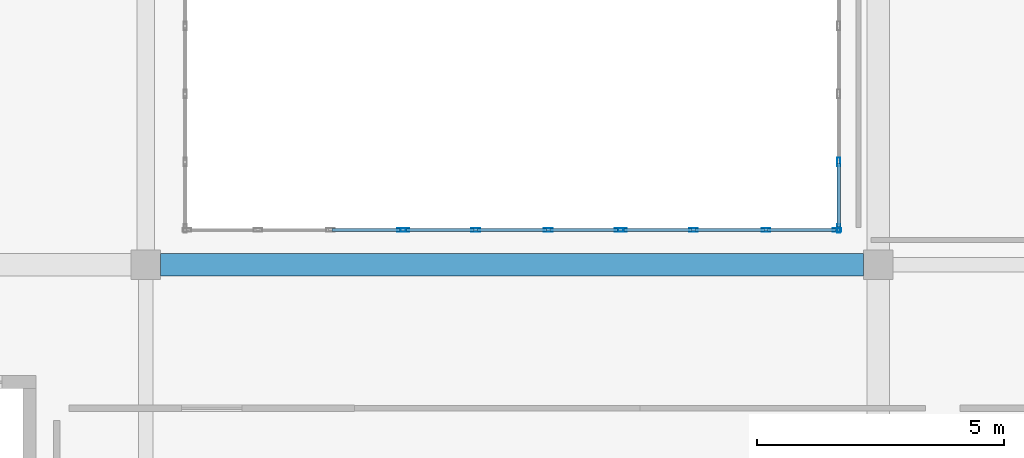
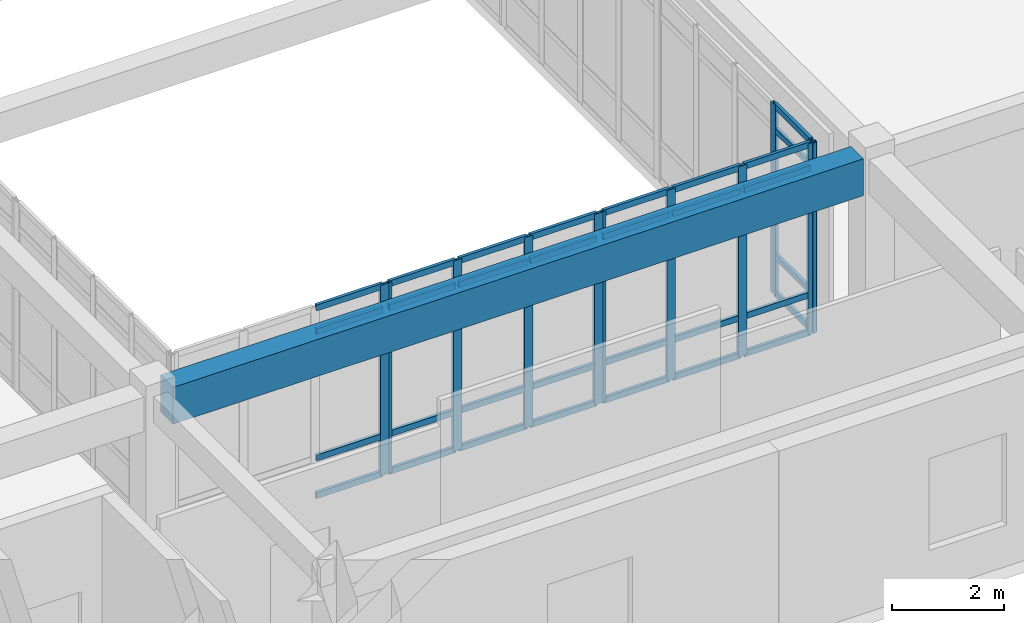
# One storey, part 73 of 142: 43 members, 1 beam, 4 elements without a shape of their own.
"""IFC4 building model written with IfcOpenShell, lengths in metres."""

from ifc_helpers import new_model, si_unit, direction, frame, origin, origin_2d, place, context, subcontext, project, spatial, rectangle, hollow_rectangle, extrude, material, layer, layer_set, material_profile, profile_set, type_object, element, aggregate, save


model = new_model("IFC4")

# Units and contexts
model_context = context("Model", 3, precision=1e-05, world=origin(), true_north=direction((0.0, 1.0)))
body_context = subcontext(model_context, "Body", "Model", "MODEL_VIEW")
ifc_project = project(units=[si_unit("LENGTHUNIT", "METRE"), si_unit("AREAUNIT", "SQUARE_METRE"), si_unit("VOLUMEUNIT", "CUBIC_METRE"), si_unit("PLANEANGLEUNIT", "RADIAN"), si_unit("MASSUNIT", "GRAM", prefix="KILO")], contexts=[model_context])

# Site, building, storey
site_placement = place(None, origin())
site = spatial("IfcSite", under=ifc_project, at=site_placement, CompositionType="ELEMENT")
building_placement = place(site_placement, origin())
building = spatial("IfcBuilding", under=site, at=building_placement, Name="Valcora Specialist Clinic", CompositionType="ELEMENT")
storey_placement = place(building_placement, frame((0.0, 0.0, 5.10009765625)))
storey = spatial("IfcBuildingStorey", under=building, at=storey_placement, Name="L01", CompositionType="ELEMENT", Elevation=5.10009765625)

# Beam
ifc_material_1 = material(Name="Concrete C40/50", Category="concrete")
ifc_material_profile_1 = material_profile(ifc_material_1, rectangle(XDim=0.449951171875, YDim=0.800048828125, at=origin_2d()), Name="RC-BM-450X800")
ifc_profile_set_1 = profile_set([ifc_material_profile_1], Name="Concrete C40/50")
beam_type = type_object("IfcBeamType", Name="TY-BM-RC450X800", PredefinedType="BEAM", material=ifc_profile_set_1)
beam_placement = place(storey_placement, frame((76.300048828125, 81.300048828125, 3.744873046875), z_axis=(1.0, 0.0, 0.0), x_axis=(0.0, 1.0, 0.0)))
element("IfcBeam", 1, at=beam_placement, inside=storey, type_object=beam_type, Name="Beam BM-L01-0624", PredefinedType="BEAM", context=body_context, shape_type="SweptSolid", body=[
    extrude(rectangle(XDim=0.449951171875, YDim=0.800048828125, at=origin_2d()), origin(), (0.0, 0.0, 1.0), 14.199951171875),
])

# Curtain wall, member
ifc_material_2 = material(Name="Anodized Bronze Aluminium 6063-T6", Category="aluminium")
ifc_layer = layer(ifc_material_2, 0.175048828125)
ifc_layer_set = layer_set([ifc_layer], Name="Anodized Bronze Aluminium 6063-T6")
curtain_wall_type = type_object("IfcCurtainWallType", Name="TY-CW-CRT15", PredefinedType="NOTDEFINED", material=ifc_layer_set)
curtain_wall_1_placement = place(storey_placement, origin())
curtain_wall_1 = element("IfcCurtainWall", 2, at=curtain_wall_1_placement, inside=storey, type_object=curtain_wall_type, Name="Curtain wall CW-L01-061", PredefinedType="NOTDEFINED")
ifc_material_profile_2 = material_profile(ifc_material_2, hollow_rectangle(XDim=0.06494140625, YDim=0.175048828125, WallThickness=0.00390625, at=origin_2d()), Name="AL-MUL-65X175")
ifc_profile_set_2 = profile_set([ifc_material_profile_2], Name="Anodized Bronze Aluminium 6063-T6")
member_type_1 = type_object("IfcMemberType", Name="TY-CWM-65X175", PredefinedType="MULLION", material=ifc_profile_set_2)
member_1_placement = place(storey_placement, frame((81.16748046875, 82.0, 0.0), z_axis=(0.0, 0.0, 1.0), x_axis=(0.0, 1.0, 0.0)))
member_1 = element("IfcMember", 3, at=member_1_placement, type_object=member_type_1, Name="CW-CRT-15 mullion 4", PredefinedType="MULLION", context=body_context, shape_type="SweptSolid", body=[
    extrude(hollow_rectangle(XDim=0.06494140625, YDim=0.175048828125, WallThickness=0.00390625, at=origin_2d()), origin(), (0.0, 0.0, 1.0), 4.14501953125),
])

# Curtain wall, members
curtain_wall_2_placement = place(storey_placement, origin())
curtain_wall_2 = element("IfcCurtainWall", 4, at=curtain_wall_2_placement, inside=storey, type_object=curtain_wall_type, Name="Curtain wall CW-L01-062", PredefinedType="NOTDEFINED")
member_2_placement = place(storey_placement, frame((81.232421875, 82.0, 0.0), z_axis=(0.0, 0.0, 1.0), x_axis=(0.0, 1.0, 0.0)))
member_2 = element("IfcMember", 5, at=member_2_placement, type_object=member_type_1, Name="CW-CRT-15 mullion 1", PredefinedType="MULLION", context=body_context, shape_type="SweptSolid", body=[
    extrude(hollow_rectangle(XDim=0.06494140625, YDim=0.175048828125, WallThickness=0.00390625, at=origin_2d()), origin(), (0.0, 0.0, 1.0), 4.14501953125),
])
member_3_placement = place(storey_placement, frame((82.666748046875, 82.0, 0.0), z_axis=(0.0, 0.0, 1.0), x_axis=(0.0, 1.0, 0.0)))
member_3 = element("IfcMember", 6, at=member_3_placement, type_object=member_type_1, Name="CW-CRT-15 mullion 2", PredefinedType="MULLION", context=body_context, shape_type="SweptSolid", body=[
    extrude(hollow_rectangle(XDim=0.06494140625, YDim=0.175048828125, WallThickness=0.00390625, at=origin_2d()), origin(), (0.0, 0.0, 1.0), 4.14501953125),
])
member_4_placement = place(storey_placement, frame((84.13330078125, 82.0, 0.0), z_axis=(0.0, 0.0, 1.0), x_axis=(0.0, 1.0, 0.0)))
member_4 = element("IfcMember", 7, at=member_4_placement, type_object=member_type_1, Name="CW-CRT-15 mullion 3", PredefinedType="MULLION", context=body_context, shape_type="SweptSolid", body=[
    extrude(hollow_rectangle(XDim=0.06494140625, YDim=0.175048828125, WallThickness=0.00390625, at=origin_2d()), origin(), (0.0, 0.0, 1.0), 4.14501953125),
])
member_5_placement = place(storey_placement, frame((85.5673828125, 82.0, 0.0), z_axis=(0.0, 0.0, 1.0), x_axis=(0.0, 1.0, 0.0)))
member_5 = element("IfcMember", 8, at=member_5_placement, type_object=member_type_1, Name="CW-CRT-15 mullion 4", PredefinedType="MULLION", context=body_context, shape_type="SweptSolid", body=[
    extrude(hollow_rectangle(XDim=0.06494140625, YDim=0.175048828125, WallThickness=0.00390625, at=origin_2d()), origin(), (0.0, 0.0, 1.0), 4.14501953125),
])

curtain_wall_3_placement = place(storey_placement, origin())
curtain_wall_3 = element("IfcCurtainWall", 9, at=curtain_wall_3_placement, inside=storey, type_object=curtain_wall_type, Name="Curtain wall CW-L01-063", PredefinedType="NOTDEFINED")
member_6_placement = place(storey_placement, frame((85.632568359375, 82.0, 0.0), z_axis=(0.0, 0.0, 1.0), x_axis=(0.0, 1.0, 0.0)))
member_6 = element("IfcMember", 10, at=member_6_placement, type_object=member_type_1, Name="CW-CRT-15 mullion 1", PredefinedType="MULLION", context=body_context, shape_type="SweptSolid", body=[
    extrude(hollow_rectangle(XDim=0.06494140625, YDim=0.175048828125, WallThickness=0.00390625, at=origin_2d()), origin(), (0.0, 0.0, 1.0), 4.14501953125),
])
member_7_placement = place(storey_placement, frame((87.066650390625, 82.0, 0.0), z_axis=(0.0, 0.0, 1.0), x_axis=(0.0, 1.0, 0.0)))
member_7 = element("IfcMember", 11, at=member_7_placement, type_object=member_type_1, Name="CW-CRT-15 mullion 2", PredefinedType="MULLION", context=body_context, shape_type="SweptSolid", body=[
    extrude(hollow_rectangle(XDim=0.06494140625, YDim=0.175048828125, WallThickness=0.00390625, at=origin_2d()), origin(), (0.0, 0.0, 1.0), 4.14501953125),
])
member_8_placement = place(storey_placement, frame((88.533447265625, 82.0, 0.0), z_axis=(0.0, 0.0, 1.0), x_axis=(0.0, 1.0, 0.0)))
member_8 = element("IfcMember", 12, at=member_8_placement, type_object=member_type_1, Name="CW-CRT-15 mullion 3", PredefinedType="MULLION", context=body_context, shape_type="SweptSolid", body=[
    extrude(hollow_rectangle(XDim=0.06494140625, YDim=0.175048828125, WallThickness=0.00390625, at=origin_2d()), origin(), (0.0, 0.0, 1.0), 4.14501953125),
])
member_9_placement = place(storey_placement, frame((89.967529296875, 82.0, 0.0), z_axis=(0.0, 0.0, 1.0), x_axis=(0.0, 1.0, 0.0)))
member_9 = element("IfcMember", 13, at=member_9_placement, type_object=member_type_1, Name="CW-CRT-15 mullion 4", PredefinedType="MULLION", context=body_context, shape_type="SweptSolid", body=[
    extrude(hollow_rectangle(XDim=0.06494140625, YDim=0.175048828125, WallThickness=0.00390625, at=origin_2d()), origin(), (0.0, 0.0, 1.0), 4.14501953125),
])

curtain_wall_4_placement = place(storey_placement, origin())
curtain_wall_4 = element("IfcCurtainWall", 14, at=curtain_wall_4_placement, inside=storey, type_object=curtain_wall_type, Name="Curtain wall CW-L01-064", PredefinedType="NOTDEFINED")
member_10_placement = place(storey_placement, frame((90.0, 82.032470703125, 0.0), z_axis=(0.0, 0.0, 1.0), x_axis=(-1.0, 0.0, 0.0)))
member_10 = element("IfcMember", 15, at=member_10_placement, type_object=member_type_1, Name="CW-CRT-15 mullion 1", PredefinedType="MULLION", context=body_context, shape_type="SweptSolid", body=[
    extrude(hollow_rectangle(XDim=0.06494140625, YDim=0.175048828125, WallThickness=0.00390625, at=origin_2d()), origin(), (0.0, 0.0, 1.0), 4.14501953125),
])
member_11_placement = place(storey_placement, frame((90.0, 83.375, 0.0), z_axis=(0.0, 0.0, 1.0), x_axis=(-1.0, 0.0, 0.0)))
member_11 = element("IfcMember", 16, at=member_11_placement, type_object=member_type_1, Name="CW-CRT-15 mullion 2", PredefinedType="MULLION", context=body_context, shape_type="SweptSolid", body=[
    extrude(hollow_rectangle(XDim=0.06494140625, YDim=0.175048828125, WallThickness=0.00390625, at=origin_2d()), origin(), (0.0, 0.0, 1.0), 4.14501953125),
])

# Member
ifc_material_profile_3 = material_profile(ifc_material_2, hollow_rectangle(XDim=0.06494140625, YDim=0.1298828125, WallThickness=0.00390625, at=origin_2d()), Name="AL-TRN-65X130")
ifc_profile_set_3 = profile_set([ifc_material_profile_3], Name="Anodized Bronze Aluminium 6063-T6")
member_type_2 = type_object("IfcMemberType", Name="TY-CWT-65X130", PredefinedType="USERDEFINED", material=ifc_profile_set_3)
member_12_placement = place(storey_placement, frame((79.765869140625, 82.0, 0.032470703125), z_axis=(1.0, 0.0, 0.0), x_axis=(0.0, 1.0, 0.0)))
member_12 = element("IfcMember", 17, at=member_12_placement, type_object=member_type_2, Name="CW-CRT-15 transom 3.1", ObjectType="TRANSOM", PredefinedType="USERDEFINED", context=body_context, shape_type="SweptSolid", body=[
    extrude(hollow_rectangle(XDim=0.06494140625, YDim=0.1298828125, WallThickness=0.00390625, at=origin_2d()), origin(), (0.0, 0.0, 1.0), 1.369140625),
])

member_13_placement = place(storey_placement, frame((79.765869140625, 82.0, 0.849853515625), z_axis=(1.0, 0.0, 0.0), x_axis=(0.0, 1.0, 0.0)))
member_13 = element("IfcMember", 18, at=member_13_placement, type_object=member_type_2, Name="CW-CRT-15 transom 3.2", ObjectType="TRANSOM", PredefinedType="USERDEFINED", context=body_context, shape_type="SweptSolid", body=[
    extrude(hollow_rectangle(XDim=0.06494140625, YDim=0.1298828125, WallThickness=0.00390625, at=origin_2d()), origin(), (0.0, 0.0, 1.0), 1.369140625),
])

member_14_placement = place(storey_placement, frame((79.765869140625, 82.0, 3.594970703125), z_axis=(1.0, 0.0, 0.0), x_axis=(0.0, 1.0, 0.0)))
member_14 = element("IfcMember", 19, at=member_14_placement, type_object=member_type_2, Name="CW-CRT-15 transom 3.3", ObjectType="TRANSOM", PredefinedType="USERDEFINED", context=body_context, shape_type="SweptSolid", body=[
    extrude(hollow_rectangle(XDim=0.06494140625, YDim=0.1298828125, WallThickness=0.00390625, at=origin_2d()), origin(), (0.0, 0.0, 1.0), 1.369140625),
])

member_15_placement = place(storey_placement, frame((79.765869140625, 82.0, 4.1123046875), z_axis=(1.0, 0.0, 0.0), x_axis=(0.0, 1.0, 0.0)))
member_15 = element("IfcMember", 20, at=member_15_placement, type_object=member_type_2, Name="CW-CRT-15 transom 3.4", ObjectType="TRANSOM", PredefinedType="USERDEFINED", context=body_context, shape_type="SweptSolid", body=[
    extrude(hollow_rectangle(XDim=0.06494140625, YDim=0.1298828125, WallThickness=0.00390625, at=origin_2d()), origin(), (0.0, 0.0, 1.0), 1.369140625),
])

aggregate(curtain_wall_1, [member_1, member_12, member_13, member_14, member_15])

member_16_placement = place(storey_placement, frame((81.264892578125, 82.0, 0.032470703125), z_axis=(1.0, 0.0, 0.0), x_axis=(0.0, 1.0, 0.0)))
member_16 = element("IfcMember", 21, at=member_16_placement, type_object=member_type_2, Name="CW-CRT-15 transom 1.1", ObjectType="TRANSOM", PredefinedType="USERDEFINED", context=body_context, shape_type="SweptSolid", body=[
    extrude(hollow_rectangle(XDim=0.06494140625, YDim=0.1298828125, WallThickness=0.00390625, at=origin_2d()), origin(), (0.0, 0.0, 1.0), 1.369384765625),
])

member_17_placement = place(storey_placement, frame((81.264892578125, 82.0, 0.849853515625), z_axis=(1.0, 0.0, 0.0), x_axis=(0.0, 1.0, 0.0)))
member_17 = element("IfcMember", 22, at=member_17_placement, type_object=member_type_2, Name="CW-CRT-15 transom 1.2", ObjectType="TRANSOM", PredefinedType="USERDEFINED", context=body_context, shape_type="SweptSolid", body=[
    extrude(hollow_rectangle(XDim=0.06494140625, YDim=0.1298828125, WallThickness=0.00390625, at=origin_2d()), origin(), (0.0, 0.0, 1.0), 1.369384765625),
])

member_18_placement = place(storey_placement, frame((81.264892578125, 82.0, 3.594970703125), z_axis=(1.0, 0.0, 0.0), x_axis=(0.0, 1.0, 0.0)))
member_18 = element("IfcMember", 23, at=member_18_placement, type_object=member_type_2, Name="CW-CRT-15 transom 1.3", ObjectType="TRANSOM", PredefinedType="USERDEFINED", context=body_context, shape_type="SweptSolid", body=[
    extrude(hollow_rectangle(XDim=0.06494140625, YDim=0.1298828125, WallThickness=0.00390625, at=origin_2d()), origin(), (0.0, 0.0, 1.0), 1.369384765625),
])

member_19_placement = place(storey_placement, frame((81.264892578125, 82.0, 4.1123046875), z_axis=(1.0, 0.0, 0.0), x_axis=(0.0, 1.0, 0.0)))
member_19 = element("IfcMember", 24, at=member_19_placement, type_object=member_type_2, Name="CW-CRT-15 transom 1.4", ObjectType="TRANSOM", PredefinedType="USERDEFINED", context=body_context, shape_type="SweptSolid", body=[
    extrude(hollow_rectangle(XDim=0.06494140625, YDim=0.1298828125, WallThickness=0.00390625, at=origin_2d()), origin(), (0.0, 0.0, 1.0), 1.369384765625),
])

member_20_placement = place(storey_placement, frame((82.69921875, 82.0, 0.032470703125), z_axis=(1.0, 0.0, 0.0), x_axis=(0.0, 1.0, 0.0)))
member_20 = element("IfcMember", 25, at=member_20_placement, type_object=member_type_2, Name="CW-CRT-15 transom 2.1", ObjectType="TRANSOM", PredefinedType="USERDEFINED", context=body_context, shape_type="SweptSolid", body=[
    extrude(hollow_rectangle(XDim=0.06494140625, YDim=0.1298828125, WallThickness=0.00390625, at=origin_2d()), origin(), (0.0, 0.0, 1.0), 1.401611328125),
])

member_21_placement = place(storey_placement, frame((82.69921875, 82.0, 0.849853515625), z_axis=(1.0, 0.0, 0.0), x_axis=(0.0, 1.0, 0.0)))
member_21 = element("IfcMember", 26, at=member_21_placement, type_object=member_type_2, Name="CW-CRT-15 transom 2.2", ObjectType="TRANSOM", PredefinedType="USERDEFINED", context=body_context, shape_type="SweptSolid", body=[
    extrude(hollow_rectangle(XDim=0.06494140625, YDim=0.1298828125, WallThickness=0.00390625, at=origin_2d()), origin(), (0.0, 0.0, 1.0), 1.401611328125),
])

member_22_placement = place(storey_placement, frame((82.69921875, 82.0, 3.594970703125), z_axis=(1.0, 0.0, 0.0), x_axis=(0.0, 1.0, 0.0)))
member_22 = element("IfcMember", 27, at=member_22_placement, type_object=member_type_2, Name="CW-CRT-15 transom 2.3", ObjectType="TRANSOM", PredefinedType="USERDEFINED", context=body_context, shape_type="SweptSolid", body=[
    extrude(hollow_rectangle(XDim=0.06494140625, YDim=0.1298828125, WallThickness=0.00390625, at=origin_2d()), origin(), (0.0, 0.0, 1.0), 1.401611328125),
])

member_23_placement = place(storey_placement, frame((82.69921875, 82.0, 4.1123046875), z_axis=(1.0, 0.0, 0.0), x_axis=(0.0, 1.0, 0.0)))
member_23 = element("IfcMember", 28, at=member_23_placement, type_object=member_type_2, Name="CW-CRT-15 transom 2.4", ObjectType="TRANSOM", PredefinedType="USERDEFINED", context=body_context, shape_type="SweptSolid", body=[
    extrude(hollow_rectangle(XDim=0.06494140625, YDim=0.1298828125, WallThickness=0.00390625, at=origin_2d()), origin(), (0.0, 0.0, 1.0), 1.401611328125),
])

member_24_placement = place(storey_placement, frame((84.165771484375, 82.0, 0.032470703125), z_axis=(1.0, 0.0, 0.0), x_axis=(0.0, 1.0, 0.0)))
member_24 = element("IfcMember", 29, at=member_24_placement, type_object=member_type_2, Name="CW-CRT-15 transom 3.1", ObjectType="TRANSOM", PredefinedType="USERDEFINED", context=body_context, shape_type="SweptSolid", body=[
    extrude(hollow_rectangle(XDim=0.06494140625, YDim=0.1298828125, WallThickness=0.00390625, at=origin_2d()), origin(), (0.0, 0.0, 1.0), 1.369140625),
])

member_25_placement = place(storey_placement, frame((84.165771484375, 82.0, 0.849853515625), z_axis=(1.0, 0.0, 0.0), x_axis=(0.0, 1.0, 0.0)))
member_25 = element("IfcMember", 30, at=member_25_placement, type_object=member_type_2, Name="CW-CRT-15 transom 3.2", ObjectType="TRANSOM", PredefinedType="USERDEFINED", context=body_context, shape_type="SweptSolid", body=[
    extrude(hollow_rectangle(XDim=0.06494140625, YDim=0.1298828125, WallThickness=0.00390625, at=origin_2d()), origin(), (0.0, 0.0, 1.0), 1.369140625),
])

member_26_placement = place(storey_placement, frame((84.165771484375, 82.0, 3.594970703125), z_axis=(1.0, 0.0, 0.0), x_axis=(0.0, 1.0, 0.0)))
member_26 = element("IfcMember", 31, at=member_26_placement, type_object=member_type_2, Name="CW-CRT-15 transom 3.3", ObjectType="TRANSOM", PredefinedType="USERDEFINED", context=body_context, shape_type="SweptSolid", body=[
    extrude(hollow_rectangle(XDim=0.06494140625, YDim=0.1298828125, WallThickness=0.00390625, at=origin_2d()), origin(), (0.0, 0.0, 1.0), 1.369140625),
])

member_27_placement = place(storey_placement, frame((84.165771484375, 82.0, 4.1123046875), z_axis=(1.0, 0.0, 0.0), x_axis=(0.0, 1.0, 0.0)))
member_27 = element("IfcMember", 32, at=member_27_placement, type_object=member_type_2, Name="CW-CRT-15 transom 3.4", ObjectType="TRANSOM", PredefinedType="USERDEFINED", context=body_context, shape_type="SweptSolid", body=[
    extrude(hollow_rectangle(XDim=0.06494140625, YDim=0.1298828125, WallThickness=0.00390625, at=origin_2d()), origin(), (0.0, 0.0, 1.0), 1.369140625),
])

aggregate(curtain_wall_2, [member_2, member_3, member_4, member_5, member_16, member_17, member_18, member_19, member_20, member_21, member_22, member_23, member_24, member_25, member_26, member_27])

member_28_placement = place(storey_placement, frame((85.6650390625, 82.0, 0.032470703125), z_axis=(1.0, 0.0, 0.0), x_axis=(0.0, 1.0, 0.0)))
member_28 = element("IfcMember", 33, at=member_28_placement, type_object=member_type_2, Name="CW-CRT-15 transom 1.1", ObjectType="TRANSOM", PredefinedType="USERDEFINED", context=body_context, shape_type="SweptSolid", body=[
    extrude(hollow_rectangle(XDim=0.06494140625, YDim=0.1298828125, WallThickness=0.00390625, at=origin_2d()), origin(), (0.0, 0.0, 1.0), 1.369140625),
])

member_29_placement = place(storey_placement, frame((85.6650390625, 82.0, 0.849853515625), z_axis=(1.0, 0.0, 0.0), x_axis=(0.0, 1.0, 0.0)))
member_29 = element("IfcMember", 34, at=member_29_placement, type_object=member_type_2, Name="CW-CRT-15 transom 1.2", ObjectType="TRANSOM", PredefinedType="USERDEFINED", context=body_context, shape_type="SweptSolid", body=[
    extrude(hollow_rectangle(XDim=0.06494140625, YDim=0.1298828125, WallThickness=0.00390625, at=origin_2d()), origin(), (0.0, 0.0, 1.0), 1.369140625),
])

member_30_placement = place(storey_placement, frame((85.6650390625, 82.0, 3.594970703125), z_axis=(1.0, 0.0, 0.0), x_axis=(0.0, 1.0, 0.0)))
member_30 = element("IfcMember", 35, at=member_30_placement, type_object=member_type_2, Name="CW-CRT-15 transom 1.3", ObjectType="TRANSOM", PredefinedType="USERDEFINED", context=body_context, shape_type="SweptSolid", body=[
    extrude(hollow_rectangle(XDim=0.06494140625, YDim=0.1298828125, WallThickness=0.00390625, at=origin_2d()), origin(), (0.0, 0.0, 1.0), 1.369140625),
])

member_31_placement = place(storey_placement, frame((85.6650390625, 82.0, 4.1123046875), z_axis=(1.0, 0.0, 0.0), x_axis=(0.0, 1.0, 0.0)))
member_31 = element("IfcMember", 36, at=member_31_placement, type_object=member_type_2, Name="CW-CRT-15 transom 1.4", ObjectType="TRANSOM", PredefinedType="USERDEFINED", context=body_context, shape_type="SweptSolid", body=[
    extrude(hollow_rectangle(XDim=0.06494140625, YDim=0.1298828125, WallThickness=0.00390625, at=origin_2d()), origin(), (0.0, 0.0, 1.0), 1.369140625),
])

member_32_placement = place(storey_placement, frame((87.09912109375, 82.0, 0.032470703125), z_axis=(1.0, 0.0, 0.0), x_axis=(0.0, 1.0, 0.0)))
member_32 = element("IfcMember", 37, at=member_32_placement, type_object=member_type_2, Name="CW-CRT-15 transom 2.1", ObjectType="TRANSOM", PredefinedType="USERDEFINED", context=body_context, shape_type="SweptSolid", body=[
    extrude(hollow_rectangle(XDim=0.06494140625, YDim=0.1298828125, WallThickness=0.00390625, at=origin_2d()), origin(), (0.0, 0.0, 1.0), 1.401611328125),
])

member_33_placement = place(storey_placement, frame((87.09912109375, 82.0, 0.849853515625), z_axis=(1.0, 0.0, 0.0), x_axis=(0.0, 1.0, 0.0)))
member_33 = element("IfcMember", 38, at=member_33_placement, type_object=member_type_2, Name="CW-CRT-15 transom 2.2", ObjectType="TRANSOM", PredefinedType="USERDEFINED", context=body_context, shape_type="SweptSolid", body=[
    extrude(hollow_rectangle(XDim=0.06494140625, YDim=0.1298828125, WallThickness=0.00390625, at=origin_2d()), origin(), (0.0, 0.0, 1.0), 1.401611328125),
])

member_34_placement = place(storey_placement, frame((87.09912109375, 82.0, 3.594970703125), z_axis=(1.0, 0.0, 0.0), x_axis=(0.0, 1.0, 0.0)))
member_34 = element("IfcMember", 39, at=member_34_placement, type_object=member_type_2, Name="CW-CRT-15 transom 2.3", ObjectType="TRANSOM", PredefinedType="USERDEFINED", context=body_context, shape_type="SweptSolid", body=[
    extrude(hollow_rectangle(XDim=0.06494140625, YDim=0.1298828125, WallThickness=0.00390625, at=origin_2d()), origin(), (0.0, 0.0, 1.0), 1.401611328125),
])

member_35_placement = place(storey_placement, frame((87.09912109375, 82.0, 4.1123046875), z_axis=(1.0, 0.0, 0.0), x_axis=(0.0, 1.0, 0.0)))
member_35 = element("IfcMember", 40, at=member_35_placement, type_object=member_type_2, Name="CW-CRT-15 transom 2.4", ObjectType="TRANSOM", PredefinedType="USERDEFINED", context=body_context, shape_type="SweptSolid", body=[
    extrude(hollow_rectangle(XDim=0.06494140625, YDim=0.1298828125, WallThickness=0.00390625, at=origin_2d()), origin(), (0.0, 0.0, 1.0), 1.401611328125),
])

member_36_placement = place(storey_placement, frame((88.56591796875, 82.0, 0.032470703125), z_axis=(1.0, 0.0, 0.0), x_axis=(0.0, 1.0, 0.0)))
member_36 = element("IfcMember", 41, at=member_36_placement, type_object=member_type_2, Name="CW-CRT-15 transom 3.1", ObjectType="TRANSOM", PredefinedType="USERDEFINED", context=body_context, shape_type="SweptSolid", body=[
    extrude(hollow_rectangle(XDim=0.06494140625, YDim=0.1298828125, WallThickness=0.00390625, at=origin_2d()), origin(), (0.0, 0.0, 1.0), 1.369140625),
])

member_37_placement = place(storey_placement, frame((88.56591796875, 82.0, 0.849853515625), z_axis=(1.0, 0.0, 0.0), x_axis=(0.0, 1.0, 0.0)))
member_37 = element("IfcMember", 42, at=member_37_placement, type_object=member_type_2, Name="CW-CRT-15 transom 3.2", ObjectType="TRANSOM", PredefinedType="USERDEFINED", context=body_context, shape_type="SweptSolid", body=[
    extrude(hollow_rectangle(XDim=0.06494140625, YDim=0.1298828125, WallThickness=0.00390625, at=origin_2d()), origin(), (0.0, 0.0, 1.0), 1.369140625),
])

member_38_placement = place(storey_placement, frame((88.56591796875, 82.0, 3.594970703125), z_axis=(1.0, 0.0, 0.0), x_axis=(0.0, 1.0, 0.0)))
member_38 = element("IfcMember", 43, at=member_38_placement, type_object=member_type_2, Name="CW-CRT-15 transom 3.3", ObjectType="TRANSOM", PredefinedType="USERDEFINED", context=body_context, shape_type="SweptSolid", body=[
    extrude(hollow_rectangle(XDim=0.06494140625, YDim=0.1298828125, WallThickness=0.00390625, at=origin_2d()), origin(), (0.0, 0.0, 1.0), 1.369140625),
])

member_39_placement = place(storey_placement, frame((88.56591796875, 82.0, 4.1123046875), z_axis=(1.0, 0.0, 0.0), x_axis=(0.0, 1.0, 0.0)))
member_39 = element("IfcMember", 44, at=member_39_placement, type_object=member_type_2, Name="CW-CRT-15 transom 3.4", ObjectType="TRANSOM", PredefinedType="USERDEFINED", context=body_context, shape_type="SweptSolid", body=[
    extrude(hollow_rectangle(XDim=0.06494140625, YDim=0.1298828125, WallThickness=0.00390625, at=origin_2d()), origin(), (0.0, 0.0, 1.0), 1.369140625),
])

aggregate(curtain_wall_3, [member_6, member_7, member_8, member_9, member_28, member_29, member_30, member_31, member_32, member_33, member_34, member_35, member_36, member_37, member_38, member_39])

member_40_placement = place(storey_placement, frame((90.0, 82.06494140625, 0.032470703125), z_axis=(0.0, 1.0, 0.0), x_axis=(-1.0, 0.0, 0.0)))
member_40 = element("IfcMember", 45, at=member_40_placement, type_object=member_type_2, Name="CW-CRT-15 transom 1.1", ObjectType="TRANSOM", PredefinedType="USERDEFINED", context=body_context, shape_type="SweptSolid", body=[
    extrude(hollow_rectangle(XDim=0.06494140625, YDim=0.1298828125, WallThickness=0.00390625, at=origin_2d()), origin(), (0.0, 0.0, 1.0), 1.277587890625),
])

member_41_placement = place(storey_placement, frame((90.0, 82.06494140625, 0.849853515625), z_axis=(0.0, 1.0, 0.0), x_axis=(-1.0, 0.0, 0.0)))
member_41 = element("IfcMember", 46, at=member_41_placement, type_object=member_type_2, Name="CW-CRT-15 transom 1.2", ObjectType="TRANSOM", PredefinedType="USERDEFINED", context=body_context, shape_type="SweptSolid", body=[
    extrude(hollow_rectangle(XDim=0.06494140625, YDim=0.1298828125, WallThickness=0.00390625, at=origin_2d()), origin(), (0.0, 0.0, 1.0), 1.277587890625),
])

member_42_placement = place(storey_placement, frame((90.0, 82.06494140625, 3.594970703125), z_axis=(0.0, 1.0, 0.0), x_axis=(-1.0, 0.0, 0.0)))
member_42 = element("IfcMember", 47, at=member_42_placement, type_object=member_type_2, Name="CW-CRT-15 transom 1.3", ObjectType="TRANSOM", PredefinedType="USERDEFINED", context=body_context, shape_type="SweptSolid", body=[
    extrude(hollow_rectangle(XDim=0.06494140625, YDim=0.1298828125, WallThickness=0.00390625, at=origin_2d()), origin(), (0.0, 0.0, 1.0), 1.277587890625),
])

member_43_placement = place(storey_placement, frame((90.0, 82.06494140625, 4.1123046875), z_axis=(0.0, 1.0, 0.0), x_axis=(-1.0, 0.0, 0.0)))
member_43 = element("IfcMember", 48, at=member_43_placement, type_object=member_type_2, Name="CW-CRT-15 transom 1.4", ObjectType="TRANSOM", PredefinedType="USERDEFINED", context=body_context, shape_type="SweptSolid", body=[
    extrude(hollow_rectangle(XDim=0.06494140625, YDim=0.1298828125, WallThickness=0.00390625, at=origin_2d()), origin(), (0.0, 0.0, 1.0), 1.277587890625),
])

aggregate(curtain_wall_4, [member_10, member_11, member_40, member_41, member_42, member_43])

save(model, "model.ifc")
